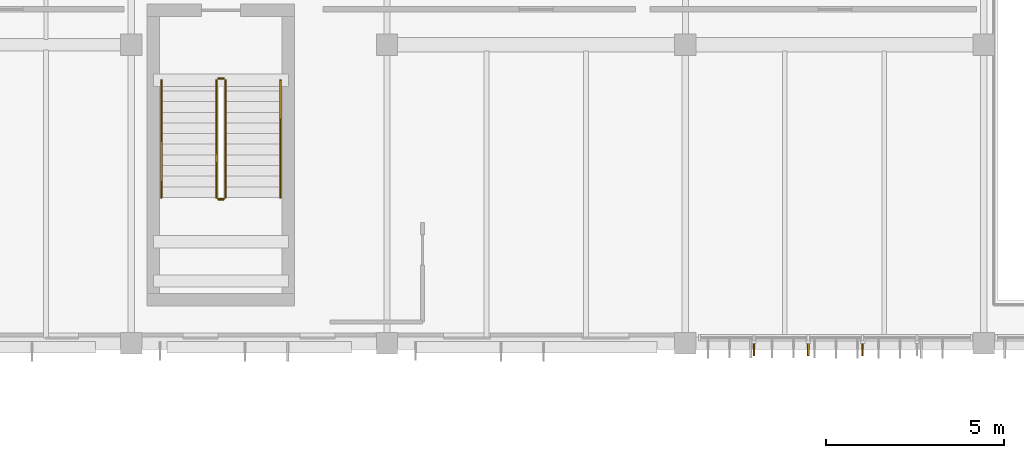
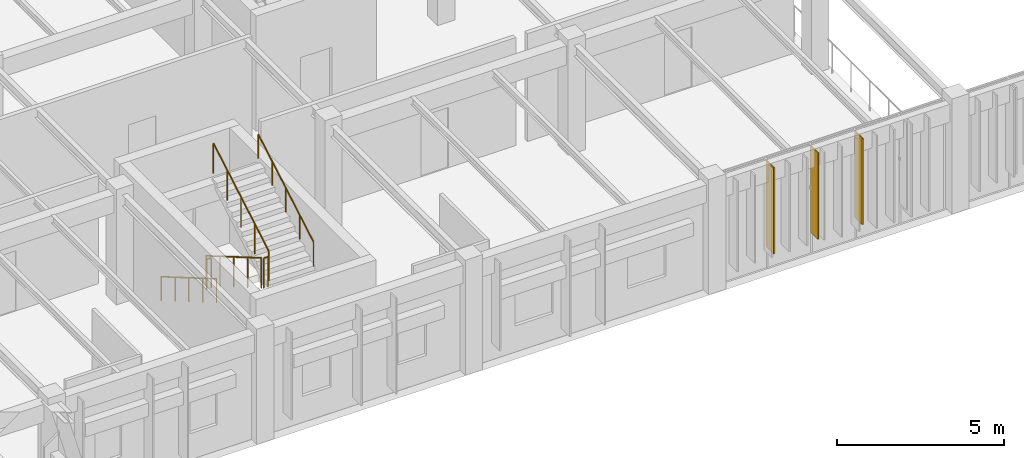
# One storey, part 118 of 122: 6 railings, 3 shading devices.
"""IFC4 building model written with IfcOpenShell, lengths in metres."""

import ifcopenshell
import ifcopenshell.guid

model = None  # the IFC model being written
_history = None  # IfcOwnerHistory: only IFC2X3 demands one
_inside = {}  # id of a spatial element -> (the spatial element, [elements in it])
_under = {}  # id of a project, library or spatial element -> (it, [spatial elements below it])
_declared = {}  # id of a project -> (the project, [libraries it declares])
_typed = {}  # id of a type object -> (the type object, [elements of that type])
_made_of = {}  # id of a material, layer set ... -> (it, [elements and type objects made of it])


def new_model(schema):
    """Start an empty IFC model of exactly this schema.

    Asked for "IFC4X3", IfcOpenShell would pick the latest addendum, in which some entities
    have other attributes; the version numbers below select the first issue.
    IFC2X3 requires an IfcOwnerHistory on every rooted entity: one is made here for all.
    """
    global model, _history
    if schema == "IFC4X3":
        model = ifcopenshell.file(schema_version=(4, 3, 0, 0))
    else:
        model = ifcopenshell.file(schema=schema)
    _inside.clear()
    _under.clear()
    _declared.clear()
    _typed.clear()
    _made_of.clear()
    _history = None
    if model.schema == "IFC2X3":
        org = make("IfcOrganization", Name="unknown")
        user = make(
            "IfcPersonAndOrganization",
            ThePerson=make("IfcPerson", FamilyName="unknown"),
            TheOrganization=org,
        )
        app = make(
            "IfcApplication",
            ApplicationDeveloper=org,
            Version="unknown",
            ApplicationFullName="unknown",
            ApplicationIdentifier="unknown",
        )
        _history = make(
            "IfcOwnerHistory",
            OwningUser=user,
            OwningApplication=app,
            ChangeAction="ADDED",
            CreationDate=0,
        )
    return model


def make(cls, **values):
    """One entity of the class cls with the attributes given. An attribute that is None is left unset."""
    return model.create_entity(
        cls, **{name: value for name, value in values.items() if value is not None}
    )


def rooted(cls, **values):
    """An entity with a GlobalId (a new one), such as an element, a storey or a relation."""
    return make(cls, GlobalId=ifcopenshell.guid.new(), OwnerHistory=_history, **values)


def si_unit(unit_type, name, prefix=None):
    """IfcSIUnit, for example si_unit("LENGTHUNIT", "METRE", prefix="MILLI")."""
    return make("IfcSIUnit", UnitType=unit_type, Prefix=prefix, Name=name)


def assignment(units):
    """IfcUnitAssignment: the units of a project."""
    return None if units is None else make("IfcUnitAssignment", Units=units)


def point(xyz):
    """IfcCartesianPoint."""
    return None if xyz is None else make("IfcCartesianPoint", Coordinates=xyz)


def direction(xyz):
    """IfcDirection."""
    return None if xyz is None else make("IfcDirection", DirectionRatios=xyz)


def frame(location, z_axis=None, x_axis=None):
    """IfcAxis2Placement3D, a coordinate frame: its origin and axes. An axis left out is left unset."""
    return make(
        "IfcAxis2Placement3D",
        Location=point(location),
        Axis=direction(z_axis),
        RefDirection=direction(x_axis),
    )


def frame_2d(location, x_axis=None):
    """IfcAxis2Placement2D, a coordinate frame in the plane: its origin and x axis."""
    return make(
        "IfcAxis2Placement2D", Location=point(location), RefDirection=direction(x_axis)
    )


def origin():
    """The frame at (0, 0, 0) with its axes left unset."""
    return frame((0.0, 0.0, 0.0))


def origin_2d():
    """The frame at (0, 0) in the plane with its x axis left unset."""
    return frame_2d((0.0, 0.0))


def place(relative_to, where):
    """IfcLocalPlacement: puts the frame where relative to a parent placement (None: the world)."""
    return make(
        "IfcLocalPlacement", PlacementRelTo=relative_to, RelativePlacement=where
    )


def context(
    kind, dimensions, precision=None, world=None, true_north=None, identifier=None
):
    """IfcGeometricRepresentationContext, for example the 3D "Model" context."""
    return make(
        "IfcGeometricRepresentationContext",
        ContextIdentifier=identifier,
        ContextType=kind,
        CoordinateSpaceDimension=dimensions,
        Precision=precision,
        WorldCoordinateSystem=world,
        TrueNorth=true_north,
    )


def subcontext(parent, identifier, kind, view, scale=None):
    """IfcGeometricRepresentationSubContext, for example "Body" below "Model"."""
    return make(
        "IfcGeometricRepresentationSubContext",
        ContextIdentifier=identifier,
        ContextType=kind,
        ParentContext=parent,
        TargetScale=scale,
        TargetView=view,
    )


def project(units=None, contexts=None):
    """IfcProject with its units and contexts."""
    return rooted(
        "IfcProject",
        Name="project",
        RepresentationContexts=contexts,
        UnitsInContext=assignment(units),
    )


def spatial(cls, under=None, at=None, **own):
    """A site, building, storey or space (cls), placed at a placement, below another one or the project."""
    s = rooted(cls, ObjectPlacement=at, **own)
    if under is not None:
        _under.setdefault(under.id(), (under, []))[1].append(s)
    return s


def profile(cls, at=None, kind="AREA", **sizes):
    """A parametric profile (cls). Its sizes go by their IFC names, for example OverallWidth=200.0."""
    return make(cls, ProfileType=kind, Position=at, **sizes)


def rectangle(**sizes):
    """IfcRectangleProfileDef."""
    return profile("IfcRectangleProfileDef", **sizes)


def circle(**sizes):
    """IfcCircleProfileDef."""
    return profile("IfcCircleProfileDef", **sizes)


def extrude(swept, where, along, depth):
    """IfcExtrudedAreaSolid: the profile swept, set in the frame where, extruded along a direction by depth."""
    return make(
        "IfcExtrudedAreaSolid",
        SweptArea=swept,
        Position=where,
        ExtrudedDirection=direction(along),
        Depth=depth,
    )


def shape(context_of_items, identifier, shape_type, items):
    """IfcShapeRepresentation: the items that make up one representation, for example the "Body"."""
    return make(
        "IfcShapeRepresentation",
        ContextOfItems=context_of_items,
        RepresentationIdentifier=identifier,
        RepresentationType=shape_type,
        Items=items,
    )


def material(Name=None, Category=None):
    """IfcMaterial."""
    return make("IfcMaterial", Name=Name, Category=Category)


def layer(
    of_material, thickness, ventilated=None, Name=None, Category=None, Priority=None
):
    """IfcMaterialLayer: one layer of a wall or slab, of a material (None: an air gap)."""
    return make(
        "IfcMaterialLayer",
        Material=of_material,
        LayerThickness=thickness,
        IsVentilated=ventilated,
        Name=Name,
        Category=Category,
        Priority=Priority,
    )


def layer_set(layers, Name=None):
    """IfcMaterialLayerSet."""
    return make("IfcMaterialLayerSet", MaterialLayers=layers, LayerSetName=Name)


def material_profile(
    of_material, cross_section, Name=None, Category=None, Priority=None
):
    """IfcMaterialProfile: a cross section and its material."""
    return make(
        "IfcMaterialProfile",
        Name=Name,
        Material=of_material,
        Profile=cross_section,
        Priority=Priority,
        Category=Category,
    )


def profile_set(profiles, Name=None, composite=None):
    """IfcMaterialProfileSet."""
    return make(
        "IfcMaterialProfileSet",
        Name=Name,
        MaterialProfiles=profiles,
        CompositeProfile=composite,
    )


def made_of(thing, what):
    """Note that an element or type object is made of a material, layer set ...; save() writes the relation."""
    if what is not None:
        _made_of.setdefault(what.id(), (what, []))[1].append(thing)
    return thing


def type_object(cls, material=None, **own):
    """A type object (cls), such as IfcWallType, which elements share."""
    return made_of(rooted(cls, **own), material)


def element(
    cls,
    number,
    at=None,
    inside=None,
    cuts=None,
    type_object=None,
    material=None,
    context=None,
    identifier="Body",
    shape_type=None,
    held_by="IfcProductDefinitionShape",
    body=None,
    shapes=None,
    **own,
):
    """One element of the class cls, such as IfcWall. Its Tag is "e" and its number.

    at: its placement. inside: the storey or other place that contains it. cuts: it is an
    opening in that element (IfcRelVoidsElement). A single representation is given by context,
    identifier, shape_type and body (its items); several are given by shapes. held_by: the class
    of the entity that holds the representations. save() writes the other relations.
    """
    e = rooted(cls, Tag="e%d" % number, ObjectPlacement=at, **own)
    if body is not None:
        shapes = [shape(context, identifier, shape_type, body)]
    if shapes is not None:
        e.Representation = make(held_by, Representations=shapes)
    if inside is not None:
        _inside.setdefault(inside.id(), (inside, []))[1].append(e)
    if cuts is not None:
        rooted(
            "IfcRelVoidsElement", RelatingBuildingElement=cuts, RelatedOpeningElement=e
        )
    if type_object is not None:
        _typed.setdefault(type_object.id(), (type_object, []))[1].append(e)
    return made_of(e, material)


def aggregate(whole, parts):
    """IfcRelAggregates: a whole, such as a stair, and the parts it consists of."""
    return rooted("IfcRelAggregates", RelatingObject=whole, RelatedObjects=parts)


def save(model, path):
    """Write the relations noted so far, then the file.

    IfcRelAggregates (storeys below a building ...), IfcRelContainedInSpatialStructure (elements
    in a storey), IfcRelDefinesByType, IfcRelAssociatesMaterial and IfcRelDeclares: one each for
    every whole, place, type object, material and project.
    """
    for whole, parts in _under.values():
        aggregate(whole, parts)
    for where, things in _inside.values():
        rooted(
            "IfcRelContainedInSpatialStructure",
            RelatedElements=things,
            RelatingStructure=where,
        )
    for kind, things in _typed.values():
        rooted("IfcRelDefinesByType", RelatedObjects=things, RelatingType=kind)
    for what, things in _made_of.values():
        rooted("IfcRelAssociatesMaterial", RelatedObjects=things, RelatingMaterial=what)
    for by, libraries in _declared.values():
        rooted("IfcRelDeclares", RelatingContext=by, RelatedDefinitions=libraries)
    model.write(path)


model = new_model("IFC4")

# Units and contexts
model_context = context("Model", 3, precision=1e-05, world=origin(), true_north=direction((0.0, 1.0)))
body_context = subcontext(model_context, "Body", "Model", "MODEL_VIEW")
ifc_project = project(units=[si_unit("LENGTHUNIT", "METRE"), si_unit("AREAUNIT", "SQUARE_METRE"), si_unit("VOLUMEUNIT", "CUBIC_METRE"), si_unit("PLANEANGLEUNIT", "RADIAN"), si_unit("MASSUNIT", "GRAM", prefix="KILO")], contexts=[model_context])

# Site, building, storey
site_placement = place(None, origin())
site = spatial("IfcSite", under=ifc_project, at=site_placement, CompositionType="ELEMENT")
building_placement = place(site_placement, origin())
building = spatial("IfcBuilding", under=site, at=building_placement, Name="Tazoul Stagehouse", CompositionType="ELEMENT")
storey_placement = place(building_placement, frame((0.0, 0.0, 4.800048828125)))
storey = spatial("IfcBuildingStorey", under=building, at=storey_placement, Name="L01", CompositionType="ELEMENT", Elevation=4.800048828125)

# Shading devices
ifc_material_1 = material(Name="Anodised Bronze Aluminium 6063-T6", Category="aluminium")
ifc_layer_1 = layer(ifc_material_1, 0.050048828125, Name="Anodised Bronze Aluminium 6063-T6")
ifc_layer_set_1 = layer_set([ifc_layer_1], Name="Anodised Bronze Aluminium 6063-T6")
shading_device_type_1 = type_object("IfcShadingDeviceType", Name="Angled Acoustic Sun-Screen Blade 460", PredefinedType="USERDEFINED", material=ifc_layer_set_1)
for number, where, z_axis, x_axis, name in (
    (1, (127.330078125, 87.669921875, 0.75), (0.0, 0.0, 1.0), (1.0, 0.0, 0.0), "Shading Louvre FIN-02 CW-V3-S2-L01-B1-SHD01"),
    (2, (130.389892578125, 87.669921875, 0.75), (0.0, 0.0, 1.0), (1.0, 0.0, 0.0), "Shading Louvre FIN-02 CW-V3-S2-L01-B1-SHD03"),
):
    element("IfcShadingDevice", number, at=place(storey_placement, frame(where, z_axis=z_axis, x_axis=x_axis)), inside=storey, type_object=shading_device_type_1, Name=name, ObjectType="FIN", PredefinedType="USERDEFINED", context=body_context, shape_type="SweptSolid", body=[
        extrude(rectangle(XDim=0.044921875, YDim=0.4599609375, at=origin_2d()), origin(), (0.0, 0.0, 1.0), 3.14990234375),
    ])

# Railings
ifc_material_2 = material(Name="Brushed Stainless Steel 316L", Category="steel")
ifc_material_profile_1 = material_profile(ifc_material_2, circle(Radius=0.02392578125, at=origin_2d()), Name="SS RAIL D48")
ifc_profile_set_1 = profile_set([ifc_material_profile_1], Name="Brushed Stainless Steel 316L")
railing_type_1 = type_object("IfcRailingType", Name="Architectural Guardrail H1120", PredefinedType="GUARDRAIL", material=ifc_profile_set_1)
railing_1_placement = place(storey_placement, frame((112.199951171875, 95.199951171875, 0.175048828125)))
element("IfcRailing", 3, at=railing_1_placement, inside=storey, type_object=railing_type_1, Name="L01 ST-04 stair guard 1", PredefinedType="GUARDRAIL", context=body_context, shape_type="SweptSolid", body=[
    extrude(circle(Radius=0.02392578125, at=origin_2d()), frame((0.0, 0.0, 1.09619140625), z_axis=(0.0, -0.863804395585, 0.503827317807), x_axis=(1.0, 0.0, 0.0)), (0.0, 0.0, 1.0), 3.8203125),
    extrude(circle(Radius=0.02099609375, at=origin_2d()), origin(), (0.0, 0.0, 1.0), 1.072021484375),
    extrude(circle(Radius=0.02099609375, at=origin_2d()), frame((0.0, -0.824951171875, 0.481201171875)), (0.0, 0.0, 1.0), 1.072021484375),
    extrude(circle(Radius=0.02099609375, at=origin_2d()), frame((0.0, -1.64990234375, 0.96240234375)), (0.0, 0.0, 1.0), 1.072021484375),
    extrude(circle(Radius=0.02099609375, at=origin_2d()), frame((0.0, -2.47509765625, 1.443603515625)), (0.0, 0.0, 1.0), 1.072021484375),
    extrude(circle(Radius=0.02099609375, at=origin_2d()), frame((0.0, -3.300048828125, 1.9248046875)), (0.0, 0.0, 1.0), 1.072021484375),
])
railing_2_placement = place(storey_placement, frame((112.25, 91.85009765625, 2.099853515625)))
element("IfcRailing", 4, at=railing_2_placement, inside=storey, type_object=railing_type_1, Name="L01 ST-04 stair guard 2", PredefinedType="GUARDRAIL", context=body_context, shape_type="SweptSolid", body=[
    extrude(circle(Radius=0.02392578125, at=origin_2d()), frame((0.0, 0.0, 1.09619140625), z_axis=(1.0, 0.0, 0.0), x_axis=(0.0, 1.0, 0.0)), (0.0, 0.0, 1.0), 0.14990234375),
    extrude(circle(Radius=0.02099609375, at=origin_2d()), origin(), (0.0, 0.0, 1.0), 1.072021484375),
    extrude(circle(Radius=0.02099609375, at=origin_2d()), frame((0.14990234375, 0.0, 0.0)), (0.0, 0.0, 1.0), 1.072021484375),
])
railing_3_placement = place(storey_placement, frame((112.449951171875, 91.89990234375, 2.27490234375)))
element("IfcRailing", 5, at=railing_3_placement, inside=storey, type_object=railing_type_1, Name="L01 ST-04 stair guard 3", PredefinedType="GUARDRAIL", context=body_context, shape_type="SweptSolid", body=[
    extrude(circle(Radius=0.02392578125, at=origin_2d()), frame((0.0, 0.0, 1.09619140625), z_axis=(0.0, 0.863776583165, 0.503874998761), x_axis=(-1.0, 0.0, 0.0)), (0.0, 0.0, 1.0), 3.820556640625),
    extrude(circle(Radius=0.02099609375, at=origin_2d()), origin(), (0.0, 0.0, 1.0), 1.072021484375),
    extrude(circle(Radius=0.02099609375, at=origin_2d()), frame((0.0, 0.824951171875, 0.481201171875)), (0.0, 0.0, 1.0), 1.072021484375),
    extrude(circle(Radius=0.02099609375, at=origin_2d()), frame((0.0, 1.64990234375, 0.96240234375)), (0.0, 0.0, 1.0), 1.072021484375),
    extrude(circle(Radius=0.02099609375, at=origin_2d()), frame((0.0, 2.47509765625, 1.44384765625)), (0.0, 0.0, 1.0), 1.072021484375),
    extrude(circle(Radius=0.02099609375, at=origin_2d()), frame((0.0, 3.300048828125, 1.925048828125)), (0.0, 0.0, 1.0), 1.072021484375),
])
railing_4_placement = place(storey_placement, frame((112.25, 95.25, 0.0)))
element("IfcRailing", 6, at=railing_4_placement, inside=storey, type_object=railing_type_1, Name="L01 ST-04 stair guard 4", PredefinedType="GUARDRAIL", context=body_context, shape_type="SweptSolid", body=[
    extrude(circle(Radius=0.02392578125, at=origin_2d()), frame((0.0, 0.0, 1.09619140625), z_axis=(1.0, 0.0, 0.0), x_axis=(0.0, 1.0, 0.0)), (0.0, 0.0, 1.0), 0.14990234375),
    extrude(circle(Radius=0.02099609375, at=origin_2d()), origin(), (0.0, 0.0, 1.0), 1.072021484375),
    extrude(circle(Radius=0.02099609375, at=origin_2d()), frame((0.14990234375, 0.0, 0.0)), (0.0, 0.0, 1.0), 1.072021484375),
])
ifc_material_profile_2 = material_profile(ifc_material_2, circle(Radius=0.02099609375, at=origin_2d()), Name="SS HANDRAIL D42")
ifc_profile_set_2 = profile_set([ifc_material_profile_2], Name="Brushed Stainless Steel 316L")
railing_type_2 = type_object("IfcRailingType", Name="Continuous Stair Handrail H900", PredefinedType="HANDRAIL", material=ifc_profile_set_2)
railing_5_placement = place(storey_placement, frame((110.64990234375, 95.199951171875, 0.175048828125)))
element("IfcRailing", 7, at=railing_5_placement, inside=storey, type_object=railing_type_2, Name="L01 ST-04 stair handrail 1", PredefinedType="HANDRAIL", context=body_context, shape_type="SweptSolid", body=[
    extrude(circle(Radius=0.02392578125, at=origin_2d()), frame((0.0, 0.0, 0.8759765625), z_axis=(0.0, -0.863804395585, 0.503827317807), x_axis=(1.0, 0.0, 0.0)), (0.0, 0.0, 1.0), 3.8203125),
    extrude(circle(Radius=0.02099609375, at=origin_2d()), origin(), (0.0, 0.0, 1.0), 0.851806640625),
    extrude(circle(Radius=0.02099609375, at=origin_2d()), frame((0.0, -0.824951171875, 0.481201171875)), (0.0, 0.0, 1.0), 0.851806640625),
    extrude(circle(Radius=0.02099609375, at=origin_2d()), frame((0.0, -1.64990234375, 0.96240234375)), (0.0, 0.0, 1.0), 0.851806640625),
    extrude(circle(Radius=0.02099609375, at=origin_2d()), frame((0.0, -2.47509765625, 1.443603515625)), (0.0, 0.0, 1.0), 0.851806640625),
    extrude(circle(Radius=0.02099609375, at=origin_2d()), frame((0.0, -3.300048828125, 1.9248046875)), (0.0, 0.0, 1.0), 0.851806640625),
])
railing_6_placement = place(storey_placement, frame((114.0, 91.89990234375, 2.27490234375)))
element("IfcRailing", 8, at=railing_6_placement, inside=storey, type_object=railing_type_2, Name="L01 ST-04 stair handrail 2", PredefinedType="HANDRAIL", context=body_context, shape_type="SweptSolid", body=[
    extrude(circle(Radius=0.02392578125, at=origin_2d()), frame((0.0, 0.0, 0.8759765625), z_axis=(0.0, 0.863776583165, 0.503874998761), x_axis=(-1.0, 0.0, 0.0)), (0.0, 0.0, 1.0), 3.820556640625),
    extrude(circle(Radius=0.02099609375, at=origin_2d()), origin(), (0.0, 0.0, 1.0), 0.851806640625),
    extrude(circle(Radius=0.02099609375, at=origin_2d()), frame((0.0, 0.824951171875, 0.481201171875)), (0.0, 0.0, 1.0), 0.851806640625),
    extrude(circle(Radius=0.02099609375, at=origin_2d()), frame((0.0, 1.64990234375, 0.96240234375)), (0.0, 0.0, 1.0), 0.851806640625),
    extrude(circle(Radius=0.02099609375, at=origin_2d()), frame((0.0, 2.47509765625, 1.44384765625)), (0.0, 0.0, 1.0), 0.851806640625),
    extrude(circle(Radius=0.02099609375, at=origin_2d()), frame((0.0, 3.300048828125, 1.925048828125)), (0.0, 0.0, 1.0), 0.851806640625),
])

# Shading device
ifc_layer_2 = layer(ifc_material_1, 0.044921875, Name="Anodised Bronze Aluminium 6063-T6")
ifc_layer_set_2 = layer_set([ifc_layer_2], Name="Anodised Bronze Aluminium 6063-T6")
shading_device_type_2 = type_object("IfcShadingDeviceType", Name="Vertical Extruded Terracotta-Bronze Louvre 460", PredefinedType="JALOUSIE", material=ifc_layer_set_2)
shading_device_placement = place(storey_placement, frame((128.860107421875, 87.669921875, 0.75), z_axis=(0.0, 0.0, 1.0), x_axis=(1.0, 0.0, 0.0)))
element("IfcShadingDevice", 9, at=shading_device_placement, inside=storey, type_object=shading_device_type_2, Name="Shading Louvre FIN-01 CW-V3-S2-L01-B1-SHD02", PredefinedType="JALOUSIE", context=body_context, shape_type="SweptSolid", body=[
    extrude(rectangle(XDim=0.044921875, YDim=0.4599609375, at=origin_2d()), origin(), (0.0, 0.0, 1.0), 3.14990234375),
])

save(model, "model.ifc")
